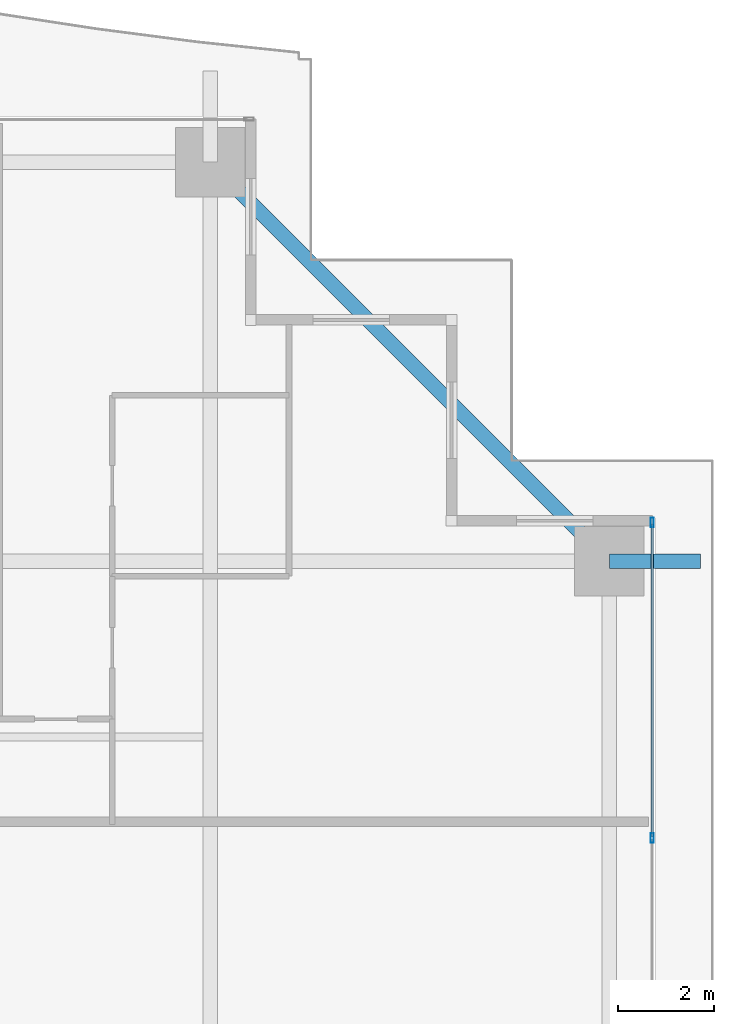
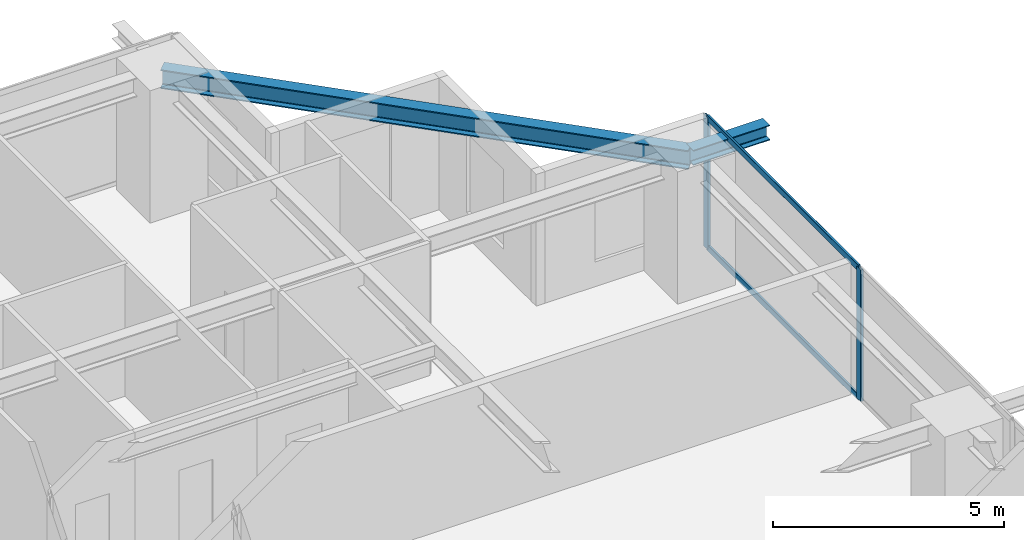
# One storey, part 20 of 35: 4 members, 2 beams, 1 element without a shape of its own.
"""IFC4 building model written with IfcOpenShell, lengths in metres."""

import ifcopenshell
import ifcopenshell.guid

model = None  # the IFC model being written
_history = None  # IfcOwnerHistory: only IFC2X3 demands one
_inside = {}  # id of a spatial element -> (the spatial element, [elements in it])
_under = {}  # id of a project, library or spatial element -> (it, [spatial elements below it])
_declared = {}  # id of a project -> (the project, [libraries it declares])
_typed = {}  # id of a type object -> (the type object, [elements of that type])
_made_of = {}  # id of a material, layer set ... -> (it, [elements and type objects made of it])


def new_model(schema):
    """Start an empty IFC model of exactly this schema.

    Asked for "IFC4X3", IfcOpenShell would pick the latest addendum, in which some entities
    have other attributes; the version numbers below select the first issue.
    IFC2X3 requires an IfcOwnerHistory on every rooted entity: one is made here for all.
    """
    global model, _history
    if schema == "IFC4X3":
        model = ifcopenshell.file(schema_version=(4, 3, 0, 0))
    else:
        model = ifcopenshell.file(schema=schema)
    _inside.clear()
    _under.clear()
    _declared.clear()
    _typed.clear()
    _made_of.clear()
    _history = None
    if model.schema == "IFC2X3":
        org = make("IfcOrganization", Name="unknown")
        user = make(
            "IfcPersonAndOrganization",
            ThePerson=make("IfcPerson", FamilyName="unknown"),
            TheOrganization=org,
        )
        app = make(
            "IfcApplication",
            ApplicationDeveloper=org,
            Version="unknown",
            ApplicationFullName="unknown",
            ApplicationIdentifier="unknown",
        )
        _history = make(
            "IfcOwnerHistory",
            OwningUser=user,
            OwningApplication=app,
            ChangeAction="ADDED",
            CreationDate=0,
        )
    return model


def make(cls, **values):
    """One entity of the class cls with the attributes given. An attribute that is None is left unset."""
    return model.create_entity(
        cls, **{name: value for name, value in values.items() if value is not None}
    )


def rooted(cls, **values):
    """An entity with a GlobalId (a new one), such as an element, a storey or a relation."""
    return make(cls, GlobalId=ifcopenshell.guid.new(), OwnerHistory=_history, **values)


def si_unit(unit_type, name, prefix=None):
    """IfcSIUnit, for example si_unit("LENGTHUNIT", "METRE", prefix="MILLI")."""
    return make("IfcSIUnit", UnitType=unit_type, Prefix=prefix, Name=name)


def assignment(units):
    """IfcUnitAssignment: the units of a project."""
    return None if units is None else make("IfcUnitAssignment", Units=units)


def point(xyz):
    """IfcCartesianPoint."""
    return None if xyz is None else make("IfcCartesianPoint", Coordinates=xyz)


def direction(xyz):
    """IfcDirection."""
    return None if xyz is None else make("IfcDirection", DirectionRatios=xyz)


def frame(location, z_axis=None, x_axis=None):
    """IfcAxis2Placement3D, a coordinate frame: its origin and axes. An axis left out is left unset."""
    return make(
        "IfcAxis2Placement3D",
        Location=point(location),
        Axis=direction(z_axis),
        RefDirection=direction(x_axis),
    )


def frame_2d(location, x_axis=None):
    """IfcAxis2Placement2D, a coordinate frame in the plane: its origin and x axis."""
    return make(
        "IfcAxis2Placement2D", Location=point(location), RefDirection=direction(x_axis)
    )


def origin():
    """The frame at (0, 0, 0) with its axes left unset."""
    return frame((0.0, 0.0, 0.0))


def origin_2d():
    """The frame at (0, 0) in the plane with its x axis left unset."""
    return frame_2d((0.0, 0.0))


def place(relative_to, where):
    """IfcLocalPlacement: puts the frame where relative to a parent placement (None: the world)."""
    return make(
        "IfcLocalPlacement", PlacementRelTo=relative_to, RelativePlacement=where
    )


def context(
    kind, dimensions, precision=None, world=None, true_north=None, identifier=None
):
    """IfcGeometricRepresentationContext, for example the 3D "Model" context."""
    return make(
        "IfcGeometricRepresentationContext",
        ContextIdentifier=identifier,
        ContextType=kind,
        CoordinateSpaceDimension=dimensions,
        Precision=precision,
        WorldCoordinateSystem=world,
        TrueNorth=true_north,
    )


def subcontext(parent, identifier, kind, view, scale=None):
    """IfcGeometricRepresentationSubContext, for example "Body" below "Model"."""
    return make(
        "IfcGeometricRepresentationSubContext",
        ContextIdentifier=identifier,
        ContextType=kind,
        ParentContext=parent,
        TargetScale=scale,
        TargetView=view,
    )


def project(units=None, contexts=None):
    """IfcProject with its units and contexts."""
    return rooted(
        "IfcProject",
        Name="project",
        RepresentationContexts=contexts,
        UnitsInContext=assignment(units),
    )


def spatial(cls, under=None, at=None, **own):
    """A site, building, storey or space (cls), placed at a placement, below another one or the project."""
    s = rooted(cls, ObjectPlacement=at, **own)
    if under is not None:
        _under.setdefault(under.id(), (under, []))[1].append(s)
    return s


def profile(cls, at=None, kind="AREA", **sizes):
    """A parametric profile (cls). Its sizes go by their IFC names, for example OverallWidth=200.0."""
    return make(cls, ProfileType=kind, Position=at, **sizes)


def hollow_rectangle(**sizes):
    """IfcRectangleHollowProfileDef."""
    return profile("IfcRectangleHollowProfileDef", **sizes)


def i_section(**sizes):
    """IfcIShapeProfileDef."""
    return profile("IfcIShapeProfileDef", **sizes)


def extrude(swept, where, along, depth):
    """IfcExtrudedAreaSolid: the profile swept, set in the frame where, extruded along a direction by depth."""
    return make(
        "IfcExtrudedAreaSolid",
        SweptArea=swept,
        Position=where,
        ExtrudedDirection=direction(along),
        Depth=depth,
    )


def shape(context_of_items, identifier, shape_type, items):
    """IfcShapeRepresentation: the items that make up one representation, for example the "Body"."""
    return make(
        "IfcShapeRepresentation",
        ContextOfItems=context_of_items,
        RepresentationIdentifier=identifier,
        RepresentationType=shape_type,
        Items=items,
    )


def source(mapping_origin, context_of_items, identifier, shape_type, items):
    """IfcRepresentationMap: a shape defined once, which mapped items show again and again."""
    return make(
        "IfcRepresentationMap",
        MappingOrigin=mapping_origin,
        MappedRepresentation=shape(context_of_items, identifier, shape_type, items),
    )


def transform(
    local_origin,
    x_axis=None,
    y_axis=None,
    z_axis=None,
    scale=None,
    scale2=None,
    scale3=None,
    uniform=True,
):
    """IfcCartesianTransformationOperator3D, or its non-uniform kind. x_axis, y_axis, z_axis: its Axis1, 2, 3."""
    if uniform:
        return make(
            "IfcCartesianTransformationOperator3D",
            Axis1=direction(x_axis),
            Axis2=direction(y_axis),
            LocalOrigin=point(local_origin),
            Scale=scale,
            Axis3=direction(z_axis),
        )
    return make(
        "IfcCartesianTransformationOperator3DnonUniform",
        Axis1=direction(x_axis),
        Axis2=direction(y_axis),
        LocalOrigin=point(local_origin),
        Scale=scale,
        Axis3=direction(z_axis),
        Scale2=scale2,
        Scale3=scale3,
    )


def mapped(mapping_source, mapping_target):
    """IfcMappedItem: shows the shape of a source again, moved by a transform."""
    return make(
        "IfcMappedItem", MappingSource=mapping_source, MappingTarget=mapping_target
    )


def material(Name=None, Category=None):
    """IfcMaterial."""
    return make("IfcMaterial", Name=Name, Category=Category)


def layer(
    of_material, thickness, ventilated=None, Name=None, Category=None, Priority=None
):
    """IfcMaterialLayer: one layer of a wall or slab, of a material (None: an air gap)."""
    return make(
        "IfcMaterialLayer",
        Material=of_material,
        LayerThickness=thickness,
        IsVentilated=ventilated,
        Name=Name,
        Category=Category,
        Priority=Priority,
    )


def layer_set(layers, Name=None):
    """IfcMaterialLayerSet."""
    return make("IfcMaterialLayerSet", MaterialLayers=layers, LayerSetName=Name)


def material_profile(
    of_material, cross_section, Name=None, Category=None, Priority=None
):
    """IfcMaterialProfile: a cross section and its material."""
    return make(
        "IfcMaterialProfile",
        Name=Name,
        Material=of_material,
        Profile=cross_section,
        Priority=Priority,
        Category=Category,
    )


def profile_set(profiles, Name=None, composite=None):
    """IfcMaterialProfileSet."""
    return make(
        "IfcMaterialProfileSet",
        Name=Name,
        MaterialProfiles=profiles,
        CompositeProfile=composite,
    )


def made_of(thing, what):
    """Note that an element or type object is made of a material, layer set ...; save() writes the relation."""
    if what is not None:
        _made_of.setdefault(what.id(), (what, []))[1].append(thing)
    return thing


def type_object(cls, material=None, **own):
    """A type object (cls), such as IfcWallType, which elements share."""
    return made_of(rooted(cls, **own), material)


def element(
    cls,
    number,
    at=None,
    inside=None,
    cuts=None,
    type_object=None,
    material=None,
    context=None,
    identifier="Body",
    shape_type=None,
    held_by="IfcProductDefinitionShape",
    body=None,
    shapes=None,
    **own,
):
    """One element of the class cls, such as IfcWall. Its Tag is "e" and its number.

    at: its placement. inside: the storey or other place that contains it. cuts: it is an
    opening in that element (IfcRelVoidsElement). A single representation is given by context,
    identifier, shape_type and body (its items); several are given by shapes. held_by: the class
    of the entity that holds the representations. save() writes the other relations.
    """
    e = rooted(cls, Tag="e%d" % number, ObjectPlacement=at, **own)
    if body is not None:
        shapes = [shape(context, identifier, shape_type, body)]
    if shapes is not None:
        e.Representation = make(held_by, Representations=shapes)
    if inside is not None:
        _inside.setdefault(inside.id(), (inside, []))[1].append(e)
    if cuts is not None:
        rooted(
            "IfcRelVoidsElement", RelatingBuildingElement=cuts, RelatedOpeningElement=e
        )
    if type_object is not None:
        _typed.setdefault(type_object.id(), (type_object, []))[1].append(e)
    return made_of(e, material)


def aggregate(whole, parts):
    """IfcRelAggregates: a whole, such as a stair, and the parts it consists of."""
    return rooted("IfcRelAggregates", RelatingObject=whole, RelatedObjects=parts)


def save(model, path):
    """Write the relations noted so far, then the file.

    IfcRelAggregates (storeys below a building ...), IfcRelContainedInSpatialStructure (elements
    in a storey), IfcRelDefinesByType, IfcRelAssociatesMaterial and IfcRelDeclares: one each for
    every whole, place, type object, material and project.
    """
    for whole, parts in _under.values():
        aggregate(whole, parts)
    for where, things in _inside.values():
        rooted(
            "IfcRelContainedInSpatialStructure",
            RelatedElements=things,
            RelatingStructure=where,
        )
    for kind, things in _typed.values():
        rooted("IfcRelDefinesByType", RelatedObjects=things, RelatingType=kind)
    for what, things in _made_of.values():
        rooted("IfcRelAssociatesMaterial", RelatedObjects=things, RelatingMaterial=what)
    for by, libraries in _declared.values():
        rooted("IfcRelDeclares", RelatingContext=by, RelatedDefinitions=libraries)
    model.write(path)


model = new_model("IFC4")

# Units and contexts
model_context = context("Model", 3, precision=1e-05, world=origin(), true_north=direction((0.0, 1.0)))
body_context = subcontext(model_context, "Body", "Model", "MODEL_VIEW")
ifc_project = project(units=[si_unit("LENGTHUNIT", "METRE"), si_unit("AREAUNIT", "SQUARE_METRE"), si_unit("VOLUMEUNIT", "CUBIC_METRE"), si_unit("PLANEANGLEUNIT", "RADIAN"), si_unit("MASSUNIT", "GRAM", prefix="KILO")], contexts=[model_context])

# Site, building, storey
site_placement = place(None, origin())
site = spatial("IfcSite", under=ifc_project, at=site_placement, CompositionType="ELEMENT")
building_placement = place(site_placement, origin())
building = spatial("IfcBuilding", under=site, at=building_placement, Name="Serunith Strait Residences", CompositionType="ELEMENT")
storey_placement = place(building_placement, frame((0.0, 0.0, 56.699951171875)))
storey = spatial("IfcBuildingStorey", under=building, at=storey_placement, Name="L13", CompositionType="ELEMENT", Elevation=56.699951171875)

# Beams
ifc_material_1 = material(Name="Steel S355J2", Category="steel")
ifc_material_profile_1 = material_profile(ifc_material_1, i_section(OverallWidth=0.300048828125, OverallDepth=0.5, WebThickness=0.014404296875, FlangeThickness=0.028076171875, FilletRadius=0.027099609375, at=origin_2d()), Name="HEB 500")
ifc_profile_set_1 = profile_set([ifc_material_profile_1], Name="Steel S355J2")
beam_type_1 = type_object("IfcBeamType", Name="BM-HEB500", PredefinedType="BEAM", material=ifc_profile_set_1)
shared_shape_1 = source(origin(), body_context, "Body", "SweptSolid", [
    extrude(i_section(OverallWidth=0.300048828125, OverallDepth=0.5, WebThickness=0.014404296875, FlangeThickness=0.028076171875, FilletRadius=0.027099609375, at=origin_2d()), origin(), (0.0, 0.0, 1.0), 11.80859375),
])
beam_1_placement = place(storey_placement, frame((57.89990234375, 40.949951171875, 3.20703125), z_axis=(-0.707096443746, 0.707117118476, 0.0), x_axis=(-0.707117118476, -0.707096443746, 0.0)))
element("IfcBeam", 1, at=beam_1_placement, inside=storey, type_object=beam_type_1, Name="L13 Perimeter Ring Beam 08", PredefinedType="BEAM", context=body_context, shape_type="MappedRepresentation", body=[
    mapped(shared_shape_1, transform((0.0, 0.0, 0.0), scale=1.0)),
])
ifc_material_profile_2 = material_profile(ifc_material_1, i_section(OverallWidth=0.300048828125, OverallDepth=0.39990234375, WebThickness=0.013427734375, FlangeThickness=0.02392578125, FilletRadius=0.027099609375, at=origin_2d()), Name="HEB 400")
ifc_profile_set_2 = profile_set([ifc_material_profile_2], Name="Steel S355J2")
beam_type_2 = type_object("IfcBeamType", Name="BM-HEB400", PredefinedType="BEAM", material=ifc_profile_set_2)
shared_shape_2 = source(origin(), body_context, "Body", "SweptSolid", [
    extrude(i_section(OverallWidth=0.300048828125, OverallDepth=0.39990234375, WebThickness=0.013427734375, FlangeThickness=0.02392578125, FilletRadius=0.027099609375, at=origin_2d()), origin(), (0.0, 0.0, 1.0), 1.91015625),
])
beam_2_placement = place(storey_placement, frame((57.89990234375, 40.949951171875, 3.257080078125), z_axis=(1.0, 0.0, 0.0), x_axis=(0.0, 1.0, 0.0)))
element("IfcBeam", 2, at=beam_2_placement, inside=storey, type_object=beam_type_2, Name="L14 Cantilevered Balcony Rib TC-E4", PredefinedType="BEAM", context=body_context, shape_type="MappedRepresentation", body=[
    mapped(shared_shape_2, transform((0.0, 0.0, 0.0), scale=1.0)),
])

# Curtain wall, members
ifc_material_2 = material(Name="Pale-Champagne Anodised Aluminium", Category="aluminium")
ifc_layer = layer(ifc_material_2, 0.199951171875, Name="Pale-Champagne Anodised Aluminium")
ifc_layer_set = layer_set([ifc_layer], Name="Pale-Champagne Anodised Aluminium")
curtain_wall_type = type_object("IfcCurtainWallType", Name="CW-SYS1", PredefinedType="NOTDEFINED", material=ifc_layer_set)
curtain_wall_placement = place(storey_placement, origin())
curtain_wall = element("IfcCurtainWall", 3, at=curtain_wall_placement, inside=storey, type_object=curtain_wall_type, Name="L13 E Unitised Fritted Curtain Wall", PredefinedType="NOTDEFINED")
ifc_material_profile_3 = material_profile(ifc_material_2, hollow_rectangle(XDim=0.070068359375, YDim=0.199951171875, WallThickness=0.00390625, InnerFilletRadius=0.006103515625, OuterFilletRadius=0.010009765625, at=origin_2d()), Name="ALU 200x70x4")
ifc_profile_set_3 = profile_set([ifc_material_profile_3], Name="Pale-Champagne Anodised Aluminium")
member_type_1 = type_object("IfcMemberType", Name="CW-SYS1-MULL", PredefinedType="MULLION", material=ifc_profile_set_3)
shared_shape_3 = source(origin(), body_context, "Body", "SweptSolid", [
    extrude(hollow_rectangle(XDim=0.070068359375, YDim=0.199951171875, WallThickness=0.00390625, InnerFilletRadius=0.006103515625, OuterFilletRadius=0.010009765625, at=origin_2d()), origin(), (0.0, 0.0, 1.0), 3.47509765625),
])
member_1_placement = place(storey_placement, frame((58.800048828125, 35.159912109375, 0.0), z_axis=(0.0, 0.0, 1.0), x_axis=(-1.0, 0.0, 0.0)))
member_1 = element("IfcMember", 4, at=member_1_placement, type_object=member_type_1, Name="CW-1 mullion 5", PredefinedType="MULLION", context=body_context, shape_type="MappedRepresentation", body=[
    mapped(shared_shape_3, transform((0.0, 0.0, 0.0), scale=1.0)),
])
member_2_placement = place(storey_placement, frame((58.800048828125, 41.764892578125, 0.0), z_axis=(0.0, 0.0, 1.0), x_axis=(-1.0, 0.0, 0.0)))
member_2 = element("IfcMember", 5, at=member_2_placement, type_object=member_type_1, Name="CW-1 mullion 6", PredefinedType="MULLION", context=body_context, shape_type="MappedRepresentation", body=[
    mapped(shared_shape_3, transform((0.0, 0.0, 0.0), scale=1.0)),
])
ifc_material_profile_4 = material_profile(ifc_material_2, hollow_rectangle(XDim=0.06005859375, YDim=0.159912109375, WallThickness=0.00341796875, InnerFilletRadius=0.00537109375, OuterFilletRadius=0.0087890625, at=origin_2d()), Name="ALU 160x60x3.5")
ifc_profile_set_4 = profile_set([ifc_material_profile_4], Name="Pale-Champagne Anodised Aluminium")
member_type_2 = type_object("IfcMemberType", Name="CW-SYS1-TRAN", PredefinedType="USERDEFINED", material=ifc_profile_set_4)
shared_shape_4 = source(origin(), body_context, "Body", "SweptSolid", [
    extrude(hollow_rectangle(XDim=0.06005859375, YDim=0.159912109375, WallThickness=0.00341796875, InnerFilletRadius=0.00537109375, OuterFilletRadius=0.0087890625, at=origin_2d()), origin(), (0.0, 0.0, 1.0), 6.534912109375),
])
member_3_placement = place(storey_placement, frame((58.800048828125, 35.195068359375, 0.030029296875), z_axis=(0.0, 1.0, 0.0), x_axis=(-1.0, 0.0, 0.0)))
member_3 = element("IfcMember", 6, at=member_3_placement, type_object=member_type_2, Name="CW-1 transom 5.1", ObjectType="TRANSOM", PredefinedType="USERDEFINED", context=body_context, shape_type="MappedRepresentation", body=[
    mapped(shared_shape_4, transform((0.0, 0.0, 0.0), scale=1.0)),
])
member_4_placement = place(storey_placement, frame((58.800048828125, 35.195068359375, 3.445068359375), z_axis=(0.0, 1.0, 0.0), x_axis=(-1.0, 0.0, 0.0)))
member_4 = element("IfcMember", 7, at=member_4_placement, type_object=member_type_2, Name="CW-1 transom 5.2", ObjectType="TRANSOM", PredefinedType="USERDEFINED", context=body_context, shape_type="MappedRepresentation", body=[
    mapped(shared_shape_4, transform((0.0, 0.0, 0.0), scale=1.0)),
])
aggregate(curtain_wall, [member_1, member_2, member_3, member_4])

save(model, "model.ifc")
